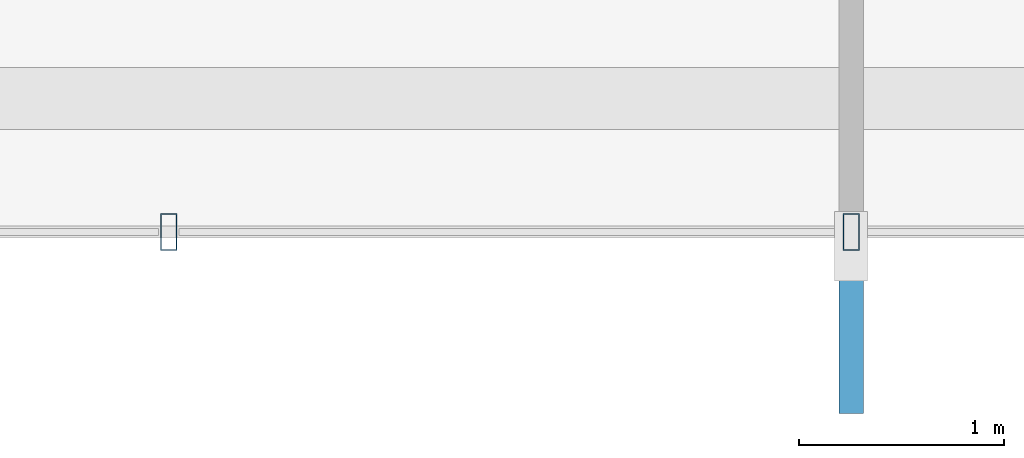
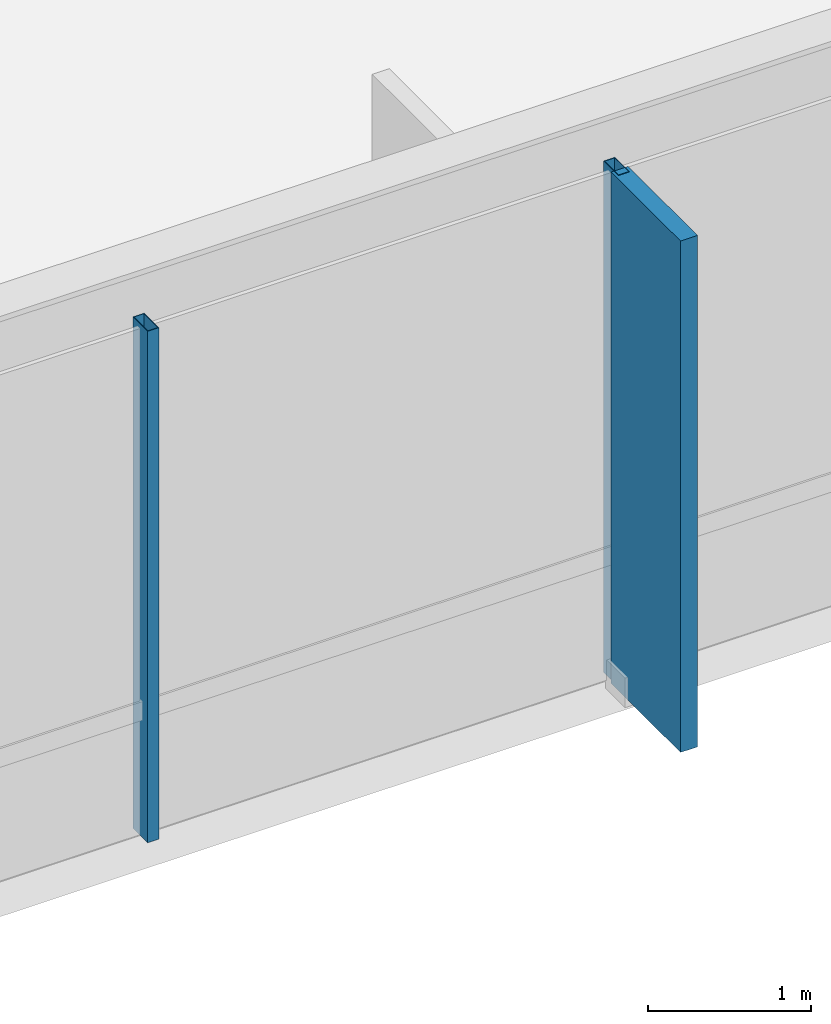
# One storey, part 8 of 25: 3 members, 1 element without a shape of its own.
"""IFC4 building model written with IfcOpenShell, lengths in metres."""

from ifc_helpers import new_model, si_unit, direction, frame, origin, origin_2d, place, context, subcontext, project, spatial, rectangle, hollow_rectangle, extrude, material, layer, layer_set, material_profile, profile_set, type_object, element, aggregate, save


model = new_model("IFC4")

# Units and contexts
model_context = context("Model", 3, precision=1e-05, world=origin(), true_north=direction((0.0, 1.0)))
body_context = subcontext(model_context, "Body", "Model", "MODEL_VIEW")
ifc_project = project(units=[si_unit("LENGTHUNIT", "METRE"), si_unit("AREAUNIT", "SQUARE_METRE"), si_unit("VOLUMEUNIT", "CUBIC_METRE"), si_unit("PLANEANGLEUNIT", "RADIAN"), si_unit("MASSUNIT", "GRAM", prefix="KILO")], contexts=[model_context])

# Site, building, storey
site_placement = place(None, origin())
site = spatial("IfcSite", under=ifc_project, at=site_placement, CompositionType="ELEMENT")
building_placement = place(site_placement, origin())
building = spatial("IfcBuilding", under=site, at=building_placement, Name="Zarrinselat Tower", CompositionType="ELEMENT")
storey_placement = place(building_placement, frame((0.0, 0.0, 52.02001953125)))
storey = spatial("IfcBuildingStorey", under=building, at=storey_placement, Name="L12", CompositionType="ELEMENT", Elevation=52.02001953125)

# Curtain wall, members
ifc_material_1 = material(Name="Extruded Aluminium Alloy EN AW-6063 T6", Category="aluminium")
ifc_layer = layer(ifc_material_1, 0.18505859375)
ifc_layer_set = layer_set([ifc_layer], Name="Extruded Aluminium Alloy EN AW-6063 T6")
curtain_wall_type = type_object("IfcCurtainWallType", Name="CWS-OFF", PredefinedType="NOTDEFINED", material=ifc_layer_set)
curtain_wall_placement = place(storey_placement, origin())
curtain_wall = element("IfcCurtainWall", 1, at=curtain_wall_placement, inside=storey, type_object=curtain_wall_type, Name="L12 Unitised Curtain Wall CW-L12-E04", PredefinedType="NOTDEFINED")
ifc_material_2 = material(Name="Extruded Aluminium Alloy EN AW-6063 T6", Category="aluminium")
ifc_material_profile_1 = material_profile(ifc_material_2, hollow_rectangle(XDim=0.080078125, YDim=0.179931640625, WallThickness=0.0048828125, at=origin_2d()), Name="RHS 180x80x5")
ifc_profile_set_1 = profile_set([ifc_material_profile_1], Name="Extruded Aluminium Alloy EN AW-6063 T6")
member_type_1 = type_object("IfcMemberType", Name="MEM-CW-MUL", PredefinedType="MULLION", material=ifc_profile_set_1)
member_1_placement = place(storey_placement, frame((41.97412109375, 18.86181640625, 0.0), z_axis=(0.0, 0.0, 1.0), x_axis=(1.0, 0.0, 0.0)))
member_1 = element("IfcMember", 2, at=member_1_placement, type_object=member_type_1, Name="CW-L12-E04 Mullion 4", PredefinedType="MULLION", context=body_context, shape_type="SweptSolid", body=[
    extrude(hollow_rectangle(XDim=0.080078125, YDim=0.179931640625, WallThickness=0.0048828125, at=origin_2d()), origin(), (0.0, 0.0, 1.0), 3.820068359375),
])
member_2_placement = place(storey_placement, frame((45.300048828125, 18.86181640625, 0.0), z_axis=(0.0, 0.0, 1.0), x_axis=(1.0, 0.0, 0.0)))
member_2 = element("IfcMember", 3, at=member_2_placement, type_object=member_type_1, Name="CW-L12-E04 Mullion 5", PredefinedType="MULLION", context=body_context, shape_type="SweptSolid", body=[
    extrude(hollow_rectangle(XDim=0.080078125, YDim=0.179931640625, WallThickness=0.0048828125, at=origin_2d()), origin(), (0.0, 0.0, 1.0), 3.820068359375),
])
ifc_material_3 = material(Name="Honed Cream Travertine Stone", Category="masonry")
ifc_material_profile_2 = material_profile(ifc_material_3, rectangle(XDim=0.1201171875, YDim=0.85009765625, at=origin_2d()), Name="FIN 850x120")
ifc_profile_set_2 = profile_set([ifc_material_profile_2], Name="Honed Cream Travertine Stone")
member_type_2 = type_object("IfcMemberType", Name="MEM-STONE-FIN", PredefinedType="USERDEFINED", material=ifc_profile_set_2)
member_3_placement = place(storey_placement, frame((45.300048828125, 18.401611328125, 0.0), z_axis=(0.0, 0.0, 1.0), x_axis=(-1.0, 0.0, 0.0)))
member_3 = element("IfcMember", 4, at=member_3_placement, type_object=member_type_2, Name="L12 Stone Shading Fin CW-L12-E04-05", ObjectType="FIN", PredefinedType="USERDEFINED", context=body_context, shape_type="SweptSolid", body=[
    extrude(rectangle(XDim=0.1201171875, YDim=0.85009765625, at=origin_2d()), origin(), (0.0, 0.0, 1.0), 3.820068359375),
])
aggregate(curtain_wall, [member_1, member_2, member_3])

save(model, "model.ifc")
